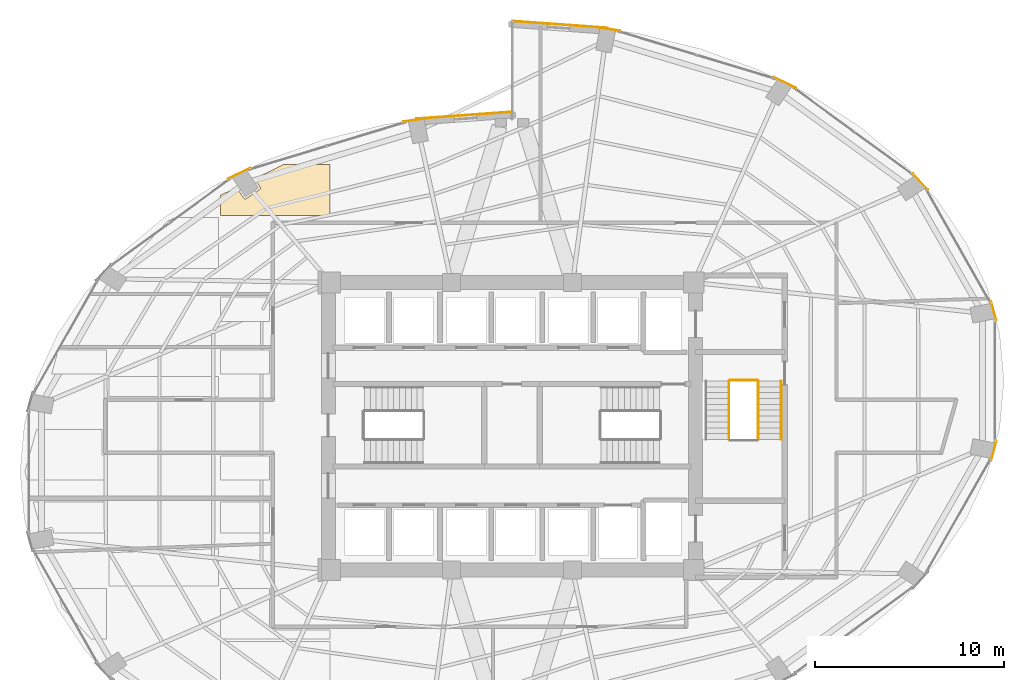
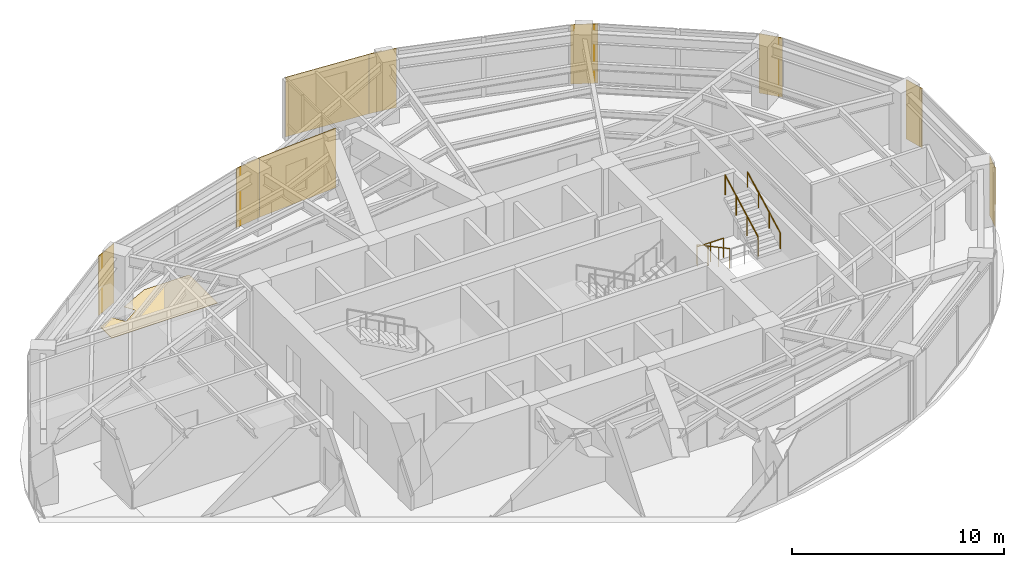
# One storey, part 24 of 24: 10 coverings, 4 railings.
"""IFC4 building model written with IfcOpenShell, lengths in metres."""

from ifc_helpers import new_model, si_unit, direction, frame, origin, origin_2d, place, context, subcontext, project, spatial, polyline, rectangle, circle, outline, extrude, material, layer, layer_set, type_object, element, save


model = new_model("IFC4")

# Units and contexts
model_context = context("Model", 3, precision=1e-05, world=origin(), true_north=direction((0.0, 1.0)))
body_context = subcontext(model_context, "Body", "Model", "MODEL_VIEW")
ifc_project = project(units=[si_unit("LENGTHUNIT", "METRE"), si_unit("AREAUNIT", "SQUARE_METRE"), si_unit("VOLUMEUNIT", "CUBIC_METRE"), si_unit("PLANEANGLEUNIT", "RADIAN"), si_unit("MASSUNIT", "GRAM", prefix="KILO")], contexts=[model_context])

# Site, building, storey
site_placement = place(None, origin())
site = spatial("IfcSite", under=ifc_project, at=site_placement, CompositionType="ELEMENT")
building_placement = place(site_placement, origin())
building = spatial("IfcBuilding", under=site, at=building_placement, Name="Lazwardi Medical Tower", CompositionType="ELEMENT")
storey_placement = place(building_placement, frame((0.0, 0.0, 99.98388671875)))
storey = spatial("IfcBuildingStorey", under=building, at=storey_placement, Name="L25", CompositionType="ELEMENT", Elevation=99.98388671875)

# Coverings
ifc_material_1 = material(Name="Anodised bronze aluminium cassette cladding", Category="aluminium")
ifc_layer_1 = layer(ifc_material_1, 0.030029296875)
ifc_layer_set_1 = layer_set([ifc_layer_1], Name="Anodised bronze aluminium cassette cladding")
covering_type_1 = type_object("IfcCoveringType", Name="COV-CLD-BRZ", PredefinedType="CLADDING", material=ifc_layer_set_1)
for number, where, z_axis, x_axis, name in (
    (1, (61.459716796875, 26.700927734375, 0.0), (0.0, 0.0, 1.0), (0.262696108164, 0.964878621774, 0.0), "L25 Mega-column bronze cassette cover M04"),
    (2, (61.459716796875, 34.09912109375, 0.0), (0.0, 0.0, 1.0), (-0.262696108164, 0.964878621774, 0.0), "L25 Mega-column bronze cassette cover M05"),
):
    element("IfcCovering", number, at=place(storey_placement, frame(where, z_axis=z_axis, x_axis=x_axis)), inside=storey, type_object=covering_type_1, Name=name, PredefinedType="CLADDING", context=body_context, shape_type="SweptSolid", body=[
        extrude(rectangle(XDim=1.04296875, YDim=0.030029296875, at=origin_2d()), origin(), (0.0, 0.0, 1.0), 3.427978515625),
    ])
covering_1_placement = place(storey_placement, frame((57.583740234375, 40.93408203125, 0.0), z_axis=(0.0, 0.0, 1.0), x_axis=(-0.674925949214, 0.737885467453, 0.0)))
element("IfcCovering", 3, at=covering_1_placement, inside=storey, type_object=covering_type_1, Name="L25 Mega-column bronze cassette cover M06", PredefinedType="CLADDING", context=body_context, shape_type="SweptSolid", body=[
    extrude(rectangle(XDim=1.15625, YDim=0.030029296875, at=origin_2d()), origin(), (0.0, 0.0, 1.0), 3.427978515625),
])
covering_2_placement = place(storey_placement, frame((50.421875, 46.16552734375, 0.0), z_axis=(0.0, 0.0, 1.0), x_axis=(-0.898679250201, 0.438606435495, 0.0)))
element("IfcCovering", 4, at=covering_2_placement, inside=storey, type_object=covering_type_1, Name="L25 Mega-column bronze cassette cover M07", PredefinedType="CLADDING", context=body_context, shape_type="SweptSolid", body=[
    extrude(rectangle(XDim=1.2998046875, YDim=0.030029296875, at=origin_2d()), origin(), (0.0, 0.0, 1.0), 3.427978515625),
])
for number, where, z_axis, x_axis, name in (
    (5, (41.064208984375, 48.99658203125, 0.0), (0.0, 0.0, 1.0), (-0.989609019093, 0.143784523955, 0.0), "L25 Mega-column bronze cassette cover M08"),
    (6, (30.935791015625, 44.19677734375, 0.0), (0.0, 0.0, 1.0), (-0.989609019093, -0.143784523955, 0.0), "L25 Mega-column bronze cassette cover M09"),
):
    element("IfcCovering", number, at=place(storey_placement, frame(where, z_axis=z_axis, x_axis=x_axis)), inside=storey, type_object=covering_type_1, Name=name, PredefinedType="CLADDING", context=body_context, shape_type="SweptSolid", body=[
        extrude(rectangle(XDim=1.392333984375, YDim=0.030029296875, at=origin_2d()), origin(), (0.0, 0.0, 1.0), 3.427978515625),
    ])
covering_3_placement = place(storey_placement, frame((21.578125, 41.365478515625, 0.0), z_axis=(0.0, 0.0, 1.0), x_axis=(-0.898679250201, -0.438606435495, 0.0)))
element("IfcCovering", 7, at=covering_3_placement, inside=storey, type_object=covering_type_1, Name="L25 Mega-column bronze cassette cover M10", PredefinedType="CLADDING", context=body_context, shape_type="SweptSolid", body=[
    extrude(rectangle(XDim=1.2998046875, YDim=0.030029296875, at=origin_2d()), origin(), (0.0, 0.0, 1.0), 3.427978515625),
])
ifc_material_2 = material(Name="Turquoise glazed ceramic tilework cladding", Category="masonry")
ifc_layer_2 = layer(ifc_material_2, 0.034912109375)
ifc_layer_set_2 = layer_set([ifc_layer_2], Name="Turquoise glazed ceramic tilework cladding")
covering_type_2 = type_object("IfcCoveringType", Name="COV-CLD-TRQ", PredefinedType="CLADDING", material=ifc_layer_set_2)
covering_4_placement = place(storey_placement, frame((38.533203125, 49.23388671875, 0.0), z_axis=(0.0, 0.0, 1.0), x_axis=(-0.997431665415, 0.07162452672, 0.0)))
element("IfcCovering", 8, at=covering_4_placement, inside=storey, type_object=covering_type_2, Name="L25 Turquoise glazed ceramic tilework cladding", PredefinedType="CLADDING", context=body_context, shape_type="SweptSolid", body=[
    extrude(rectangle(XDim=5.05419921875, YDim=0.034912109375, at=origin_2d()), origin(), (0.0, 0.0, 1.0), 3.427978515625),
])
covering_5_placement = place(storey_placement, frame((33.466552734375, 44.43408203125, 0.0), z_axis=(0.0, 0.0, 1.0), x_axis=(-0.997431165357, -0.071631490105, 0.0)))
element("IfcCovering", 9, at=covering_5_placement, inside=storey, type_object=covering_type_2, Name="L25 Turquoise glazed ceramic tilework cladding", PredefinedType="CLADDING", context=body_context, shape_type="SweptSolid", body=[
    extrude(rectangle(XDim=5.0537109375, YDim=0.034912109375, at=origin_2d()), origin(), (0.0, 0.0, 1.0), 3.427978515625),
])
ifc_material_3 = material(Name="Anti-static hospital vinyl sheet flooring")
ifc_layer_3 = layer(ifc_material_3, 0.014892578125)
ifc_layer_set_3 = layer_set([ifc_layer_3], Name="Anti-static hospital vinyl sheet flooring")
covering_type_3 = type_object("IfcCoveringType", Name="COV-FLR-01", PredefinedType="FLOORING", material=ifc_layer_set_3)
covering_6_placement = place(storey_placement, origin())
element("IfcCovering", 10, at=covering_6_placement, inside=storey, type_object=covering_type_3, Name="L25 Clinical Vinyl Flooring 10", PredefinedType="FLOORING", context=body_context, shape_type="SweptSolid", body=[
    extrude(outline(polyline([(23.930419921875, 41.83251953125), (22.39111328125, 41.082763671875), (22.693115234375, 40.630859375), (22.697265625, 40.6240234375), (22.700439453125, 40.616943359375), (22.703125, 40.609619140625), (22.705078125, 40.60205078125), (22.706298828125, 40.59423828125), (22.70654296875, 40.58642578125), (22.706298828125, 40.57861328125), (22.705078125, 40.57080078125), (22.703125, 40.563232421875), (22.700439453125, 40.555908203125), (22.697265625, 40.548583984375), (22.693115234375, 40.5419921875), (22.6884765625, 40.53564453125), (22.68310546875, 40.52978515625), (22.677490234375, 40.524658203125), (22.6708984375, 40.52001953125), (21.939208984375, 40.031005859375), (21.9326171875, 40.02685546875), (21.925537109375, 40.023681640625), (21.918212890625, 40.02099609375), (21.910400390625, 40.01904296875), (21.902587890625, 40.017822265625), (21.89501953125, 40.017578125), (21.88720703125, 40.017822265625), (21.87939453125, 40.01904296875), (21.87158203125, 40.02099609375), (21.8642578125, 40.023681640625), (21.857177734375, 40.02685546875), (21.8505859375, 40.031005859375), (21.843994140625, 40.03564453125), (21.83837890625, 40.041015625), (21.8330078125, 40.046875), (21.828369140625, 40.052978515625), (21.447509765625, 40.623291015625), (20.602783203125, 40.2119140625), (20.602783203125, 39.15234375), (26.3828125, 39.15234375), (26.3828125, 41.83251953125), (23.930419921875, 41.83251953125)])), origin(), (0.0, 0.0, 1.0), 0.01513671875),
])

# Railings
ifc_material_4 = material(Name="Stainless steel Grade 316", Category="steel")
railing_type_1 = type_object("IfcRailingType", Name="RLG-GRD-1150", PredefinedType="GUARDRAIL", material=ifc_material_4)
railing_1_placement = place(storey_placement, frame((47.469970703125, 30.39990234375, 0.166015625)))
element("IfcRailing", 11, at=railing_1_placement, inside=storey, type_object=railing_type_1, Name="L25 ST3 stair guard 1", PredefinedType="GUARDRAIL", context=body_context, shape_type="SweptSolid", body=[
    extrude(circle(Radius=0.02392578125, at=origin_2d()), frame((0.0, 0.0, 1.1259765625), z_axis=(0.0, -0.881767849116, 0.471683644262), x_axis=(1.0, 0.0, 0.0)), (0.0, 0.0, 1.0), 3.515380859375),
    extrude(circle(Radius=0.02099609375, at=origin_2d()), origin(), (0.0, 0.0, 1.0), 1.099853515625),
    extrude(circle(Radius=0.02099609375, at=origin_2d()), frame((0.0, -1.033203125, 0.552734375)), (0.0, 0.0, 1.0), 1.099853515625),
    extrude(circle(Radius=0.02099609375, at=origin_2d()), frame((0.0, -2.066650390625, 1.10546875)), (0.0, 0.0, 1.0), 1.099853515625),
    extrude(circle(Radius=0.02099609375, at=origin_2d()), frame((0.0, -3.099853515625, 1.658203125)), (0.0, 0.0, 1.0), 1.099853515625),
])
railing_2_placement = place(storey_placement, frame((49.010009765625, 27.300048828125, 1.989990234375)))
element("IfcRailing", 12, at=railing_2_placement, inside=storey, type_object=railing_type_1, Name="L25 ST3 stair guard 3", PredefinedType="GUARDRAIL", context=body_context, shape_type="SweptSolid", body=[
    extrude(circle(Radius=0.02392578125, at=origin_2d()), frame((0.0, 0.0, 1.1259765625), z_axis=(0.0, 0.881767849116, 0.471683644262), x_axis=(-1.0, 0.0, 0.0)), (0.0, 0.0, 1.0), 3.515380859375),
    extrude(circle(Radius=0.02099609375, at=origin_2d()), origin(), (0.0, 0.0, 1.0), 1.099853515625),
    extrude(circle(Radius=0.02099609375, at=origin_2d()), frame((0.0, 1.033203125, 0.552734375)), (0.0, 0.0, 1.0), 1.099853515625),
    extrude(circle(Radius=0.02099609375, at=origin_2d()), frame((0.0, 2.066650390625, 1.10546875)), (0.0, 0.0, 1.0), 1.099853515625),
    extrude(circle(Radius=0.02099609375, at=origin_2d()), frame((0.0, 3.099853515625, 1.658203125)), (0.0, 0.0, 1.0), 1.099853515625),
])
railing_3_placement = place(storey_placement, frame((47.52001953125, 30.449951171875, 0.0)))
element("IfcRailing", 13, at=railing_3_placement, inside=storey, type_object=railing_type_1, Name="L25 ST3 stair guard 4", PredefinedType="GUARDRAIL", context=body_context, shape_type="SweptSolid", body=[
    extrude(circle(Radius=0.02392578125, at=origin_2d()), frame((0.0, 0.0, 1.1259765625), z_axis=(1.0, 0.0, 0.0), x_axis=(0.0, 1.0, 0.0)), (0.0, 0.0, 1.0), 1.43994140625),
    extrude(circle(Radius=0.02099609375, at=origin_2d()), origin(), (0.0, 0.0, 1.0), 1.099853515625),
    extrude(circle(Radius=0.02099609375, at=origin_2d()), frame((0.719970703125, 0.0, 0.0)), (0.0, 0.0, 1.0), 1.099853515625),
    extrude(circle(Radius=0.02099609375, at=origin_2d()), frame((1.43994140625, 0.0, 0.0)), (0.0, 0.0, 1.0), 1.099853515625),
])
railing_type_2 = type_object("IfcRailingType", Name="RLG-HND-920", PredefinedType="HANDRAIL", material=ifc_material_4)
railing_4_placement = place(storey_placement, frame((50.22998046875, 27.300048828125, 1.989990234375)))
element("IfcRailing", 14, at=railing_4_placement, inside=storey, type_object=railing_type_2, Name="L25 ST3 stair handrail 2", PredefinedType="HANDRAIL", context=body_context, shape_type="SweptSolid", body=[
    extrude(circle(Radius=0.02392578125, at=origin_2d()), frame((0.0, 0.0, 0.8857421875), z_axis=(0.0, 0.881767849116, 0.471683644262), x_axis=(-1.0, 0.0, 0.0)), (0.0, 0.0, 1.0), 3.515380859375),
    extrude(circle(Radius=0.02099609375, at=origin_2d()), origin(), (0.0, 0.0, 1.0), 0.85986328125),
    extrude(circle(Radius=0.02099609375, at=origin_2d()), frame((0.0, 1.033203125, 0.552734375)), (0.0, 0.0, 1.0), 0.85986328125),
    extrude(circle(Radius=0.02099609375, at=origin_2d()), frame((0.0, 2.066650390625, 1.10546875)), (0.0, 0.0, 1.0), 0.85986328125),
    extrude(circle(Radius=0.02099609375, at=origin_2d()), frame((0.0, 3.099853515625, 1.658203125)), (0.0, 0.0, 1.0), 0.85986328125),
])

save(model, "model.ifc")
